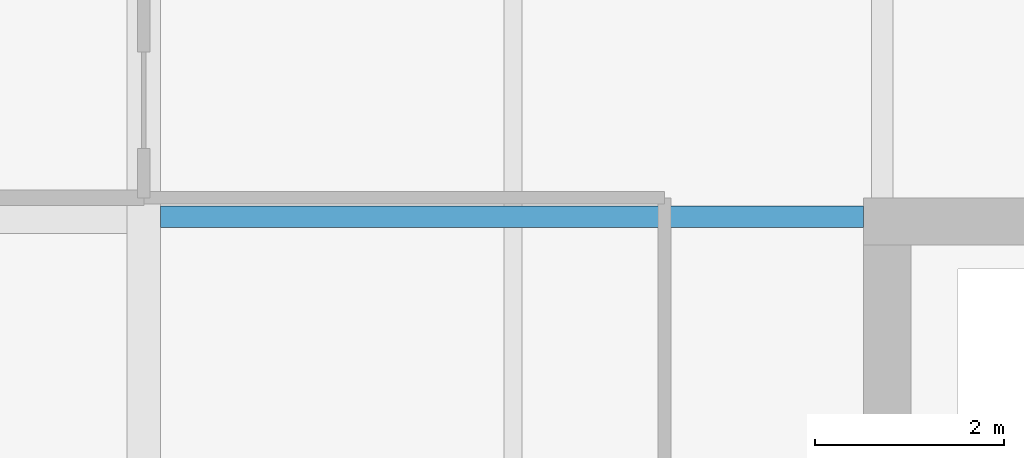
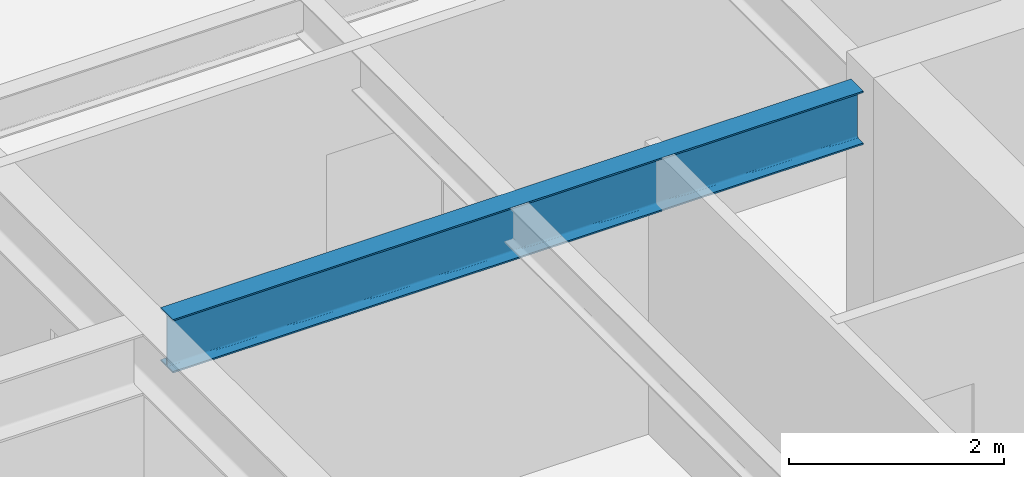
# One storey, part 18 of 33: 1 beam.
"""IFC4 building model written with IfcOpenShell, lengths in metres."""

from ifc_helpers import new_model, si_unit, direction, frame, origin, origin_2d, place, context, subcontext, project, spatial, i_section, extrude, material, material_profile, profile_set, type_object, element, save


model = new_model("IFC4")

# Units and contexts
model_context = context("Model", 3, precision=1e-05, world=origin(), true_north=direction((0.0, 1.0)))
body_context = subcontext(model_context, "Body", "Model", "MODEL_VIEW")
ifc_project = project(units=[si_unit("LENGTHUNIT", "METRE"), si_unit("AREAUNIT", "SQUARE_METRE"), si_unit("VOLUMEUNIT", "CUBIC_METRE"), si_unit("PLANEANGLEUNIT", "RADIAN"), si_unit("MASSUNIT", "GRAM", prefix="KILO")], contexts=[model_context])

# Site, building, storey
site_placement = place(None, origin())
site = spatial("IfcSite", under=ifc_project, at=site_placement, CompositionType="ELEMENT")
building_placement = place(site_placement, origin())
building = spatial("IfcBuilding", under=site, at=building_placement, Name="Drelvath Grand Hotel", CompositionType="ELEMENT")
storey_placement = place(building_placement, frame((0.0, 0.0, 161.050048828125)))
storey = spatial("IfcBuildingStorey", under=building, at=storey_placement, Name="L41", CompositionType="ELEMENT", Elevation=161.050048828125)

# Beam
ifc_material = material(Name="Steel ASTM A992 Gr 50", Category="steel")
ifc_material_profile = material_profile(ifc_material, i_section(OverallWidth=0.228271484375, OverallDepth=0.607666015625, WebThickness=0.01123046875, FlangeThickness=0.017333984375, FilletRadius=0.02001953125, at=origin_2d()), Name="W24X76")
ifc_profile_set = profile_set([ifc_material_profile], Name="Steel ASTM A992 Gr 50")
beam_type = type_object("IfcBeamType", Name="Primary Floor Girder W24X76", PredefinedType="BEAM", material=ifc_profile_set)
beam_placement = place(storey_placement, frame((-16.022705078125, 35.39990234375, 2.986083984375), z_axis=(1.0, 0.0, 0.0), x_axis=(0.0, 1.0, 0.0)))
element("IfcBeam", 1, at=beam_placement, inside=storey, type_object=beam_type, Name="L41 West Core Tie F", PredefinedType="BEAM", context=body_context, shape_type="SweptSolid", body=[
    extrude(i_section(OverallWidth=0.228271484375, OverallDepth=0.607666015625, WebThickness=0.01123046875, FlangeThickness=0.017333984375, FilletRadius=0.02001953125, at=origin_2d()), origin(), (0.0, 0.0, 1.0), 7.422607421875),
])

save(model, "model.ifc")
